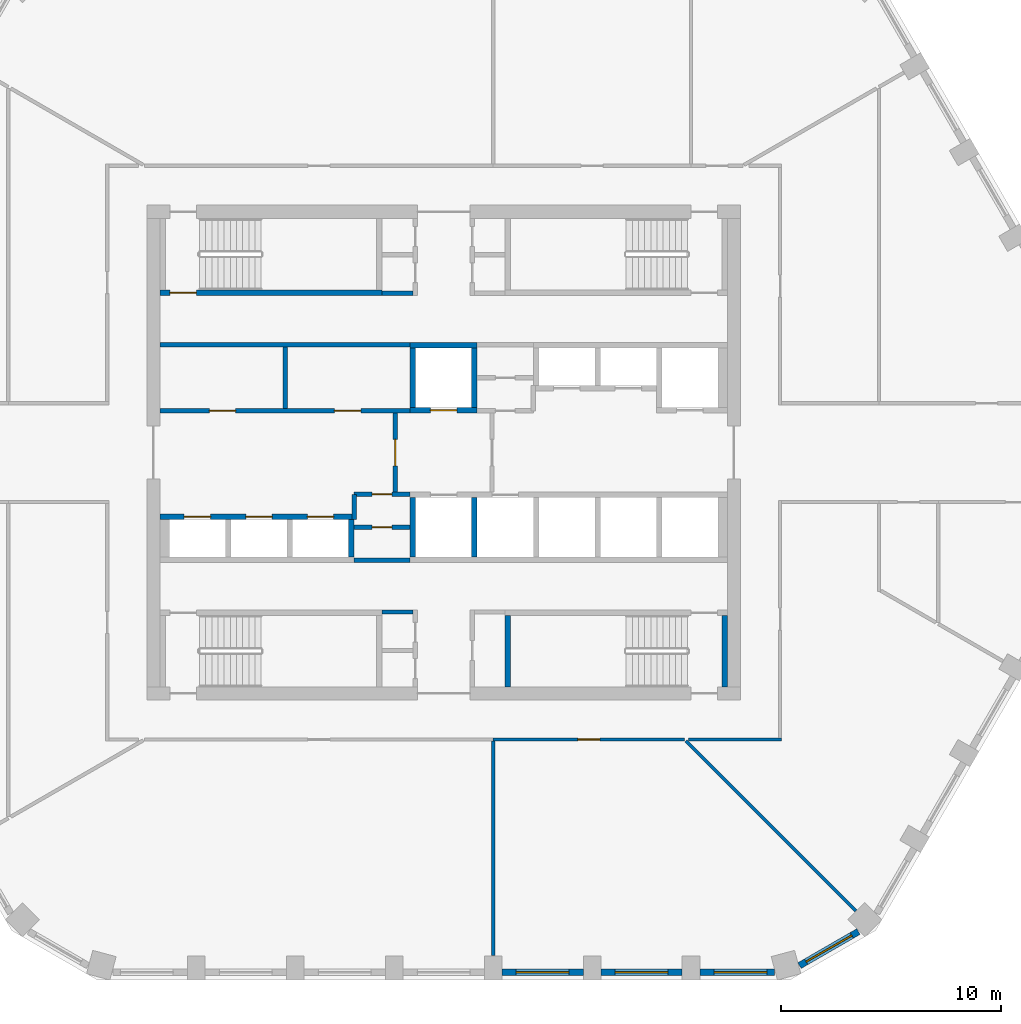
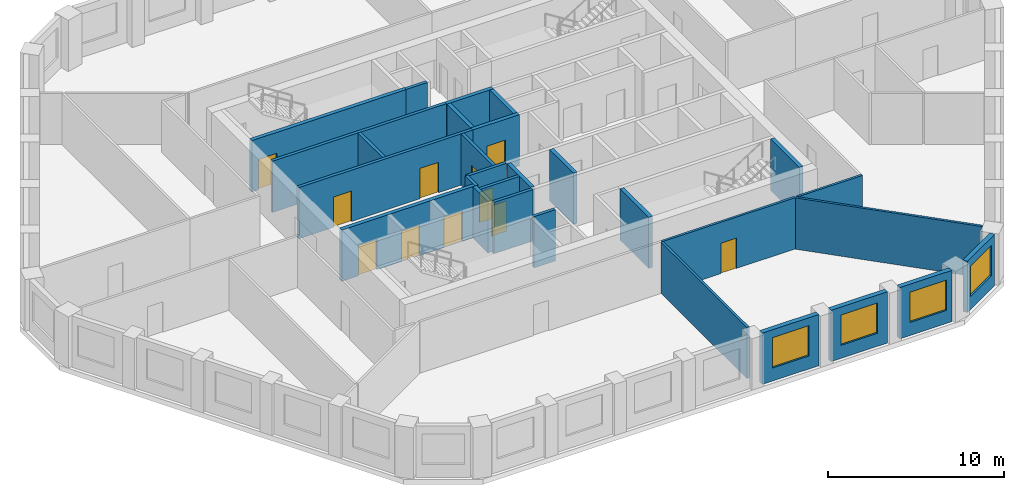
# One storey, part 3 of 8: 29 walls, 11 doors, 4 windows, 15 openings.
"""IFC4 building model written with IfcOpenShell, lengths in metres."""

from ifc_helpers import new_model, si_unit, direction, frame, frame_2d, origin, place, context, subcontext, project, spatial, polyline, rectangle, outline, extrude, material, layer, layer_set, type_object, element, fill, save


model = new_model("IFC4")

# Units and contexts
model_context = context("Model", 3, precision=1e-05, world=origin(), true_north=direction((0.0, 1.0)))
body_context = subcontext(model_context, "Body", "Model", "MODEL_VIEW")
ifc_project = project(units=[si_unit("LENGTHUNIT", "METRE"), si_unit("AREAUNIT", "SQUARE_METRE"), si_unit("VOLUMEUNIT", "CUBIC_METRE"), si_unit("PLANEANGLEUNIT", "RADIAN"), si_unit("MASSUNIT", "GRAM", prefix="KILO")], contexts=[model_context])

# Site, building, storey
site_placement = place(None, origin())
site = spatial("IfcSite", under=ifc_project, at=site_placement, CompositionType="ELEMENT")
building_placement = place(site_placement, origin())
building = spatial("IfcBuilding", under=site, at=building_placement, Name="Dhurran Vertical Campus", CompositionType="ELEMENT")
storey_placement = place(building_placement, frame((0.0, 0.0, 219.0)))
storey = spatial("IfcBuildingStorey", under=building, at=storey_placement, Name="L54", CompositionType="ELEMENT", Elevation=219.0)

# Wall, opening, window
ifc_material_1 = material(Name="Precast concrete C50/60", Category="concrete")
ifc_layer_1 = layer(ifc_material_1, 0.300048828125)
ifc_layer_set_1 = layer_set([ifc_layer_1], Name="Precast concrete C50/60")
wall_type_1 = type_object("IfcWallType", Name="Precast spandrel wall 300", PredefinedType="SOLIDWALL", material=ifc_layer_set_1)
wall_1_placement = place(storey_placement, frame((2.650390625, -23.635498046875, 0.0), z_axis=(0.0, 0.0, 1.0), x_axis=(1.0, 0.0, 0.0)))
wall_1 = element("IfcWall", 1, at=wall_1_placement, inside=storey, type_object=wall_type_1, Name="EW1 L54.04", PredefinedType="SOLIDWALL", context=body_context, shape_type="SweptSolid", body=[
    extrude(rectangle(XDim=3.69921875, YDim=0.300048828125, at=frame_2d((1.849609375, 0.0))), origin(), (0.0, 0.0, 1.0), 3.550048828125),
])
opening_1_placement = place(wall_1_placement, frame((0.6494140625, 0.0, 0.89990234375)))
opening_1 = element("IfcOpeningElement", 2, at=opening_1_placement, cuts=wall_1, Name="Opening WT1", PredefinedType="OPENING", context=body_context, shape_type="SweptSolid", body=[
    extrude(rectangle(XDim=2.39990234375, YDim=2.10009765625, at=frame_2d((1.199951171875, 1.050048828125))), frame((0.0, 0.159912109375, 0.0), z_axis=(0.0, -1.0, 0.0), x_axis=(1.0, 0.0, 0.0)), (0.0, 0.0, 1.0), 0.320068359375),
])
ifc_material_2 = material(Name="Aluminium frame with solar-control glass", Category="aluminium")
window_type = type_object("IfcWindowType", Name="Punched window 2400 x 2100", PartitioningType="SINGLE_PANEL", PredefinedType="WINDOW", material=ifc_material_2)
window_1_placement = place(opening_1_placement, origin())
window_1 = element("IfcWindow", 3, at=window_1_placement, inside=storey, type_object=window_type, Name="WT1 L54.04", OverallHeight=2.10009765625, OverallWidth=2.39990234375, PartitioningType="SINGLE_PANEL", PredefinedType="WINDOW", context=body_context, shape_type="SweptSolid", body=[
    extrude(rectangle(XDim=2.39990234375, YDim=2.10009765625, at=frame_2d((1.199951171875, 1.050048828125))), frame((0.0, 0.030029296875, 0.0), z_axis=(0.0, -1.0, 0.0), x_axis=(1.0, 0.0, 0.0)), (0.0, 0.0, 1.0), 0.06005859375),
])
fill(opening_1, window_1)

wall_2_placement = place(storey_placement, frame((7.150390625, -23.635498046875, 0.0), z_axis=(0.0, 0.0, 1.0), x_axis=(1.0, 0.0, 0.0)))
wall_2 = element("IfcWall", 4, at=wall_2_placement, inside=storey, type_object=wall_type_1, Name="EW1 L54.05", PredefinedType="SOLIDWALL", context=body_context, shape_type="SweptSolid", body=[
    extrude(rectangle(XDim=3.69921875, YDim=0.300048828125, at=frame_2d((1.849609375, 0.0))), origin(), (0.0, 0.0, 1.0), 3.550048828125),
])
opening_2_placement = place(wall_2_placement, frame((0.6494140625, 0.0, 0.89990234375)))
opening_2 = element("IfcOpeningElement", 5, at=opening_2_placement, cuts=wall_2, Name="Opening WT1", PredefinedType="OPENING", context=body_context, shape_type="SweptSolid", body=[
    extrude(rectangle(XDim=2.39990234375, YDim=2.10009765625, at=frame_2d((1.199951171875, 1.050048828125))), frame((0.0, 0.159912109375, 0.0), z_axis=(0.0, -1.0, 0.0), x_axis=(1.0, 0.0, 0.0)), (0.0, 0.0, 1.0), 0.320068359375),
])
window_2_placement = place(opening_2_placement, origin())
window_2 = element("IfcWindow", 6, at=window_2_placement, inside=storey, type_object=window_type, Name="WT1 L54.05", OverallHeight=2.10009765625, OverallWidth=2.39990234375, PartitioningType="SINGLE_PANEL", PredefinedType="WINDOW", context=body_context, shape_type="SweptSolid", body=[
    extrude(rectangle(XDim=2.39990234375, YDim=2.10009765625, at=frame_2d((1.199951171875, 1.050048828125))), frame((0.0, 0.030029296875, 0.0), z_axis=(0.0, -1.0, 0.0), x_axis=(1.0, 0.0, 0.0)), (0.0, 0.0, 1.0), 0.06005859375),
])
fill(opening_2, window_2)

wall_3_placement = place(storey_placement, frame((11.650390625, -23.635498046875, 0.0), z_axis=(0.0, 0.0, 1.0), x_axis=(1.0, 0.0, 0.0)))
wall_3 = element("IfcWall", 7, at=wall_3_placement, inside=storey, type_object=wall_type_1, Name="EW1 L54.06", PredefinedType="SOLIDWALL", context=body_context, shape_type="SweptSolid", body=[
    extrude(rectangle(XDim=3.39599609375, YDim=0.300048828125, at=frame_2d((1.697998046875, 0.0))), origin(), (0.0, 0.0, 1.0), 3.550048828125),
])
opening_3_placement = place(wall_3_placement, frame((0.6494140625, 0.0, 0.89990234375)))
opening_3 = element("IfcOpeningElement", 8, at=opening_3_placement, cuts=wall_3, Name="Opening WT1", PredefinedType="OPENING", context=body_context, shape_type="SweptSolid", body=[
    extrude(rectangle(XDim=2.39990234375, YDim=2.10009765625, at=frame_2d((1.199951171875, 1.050048828125))), frame((0.0, 0.159912109375, 0.0), z_axis=(0.0, -1.0, 0.0), x_axis=(1.0, 0.0, 0.0)), (0.0, 0.0, 1.0), 0.320068359375),
])
window_3_placement = place(opening_3_placement, origin())
window_3 = element("IfcWindow", 9, at=window_3_placement, inside=storey, type_object=window_type, Name="WT1 L54.06", OverallHeight=2.10009765625, OverallWidth=2.39990234375, PartitioningType="SINGLE_PANEL", PredefinedType="WINDOW", context=body_context, shape_type="SweptSolid", body=[
    extrude(rectangle(XDim=2.39990234375, YDim=2.10009765625, at=frame_2d((1.199951171875, 1.050048828125))), frame((0.0, 0.030029296875, 0.0), z_axis=(0.0, -1.0, 0.0), x_axis=(1.0, 0.0, 0.0)), (0.0, 0.0, 1.0), 0.06005859375),
])
fill(opening_3, window_3)

wall_4_placement = place(storey_placement, frame((16.184326171875, -23.330810546875, 0.0), z_axis=(0.0, 0.0, 1.0), x_axis=(0.865994975416, 0.500052699777, 0.0)))
wall_4 = element("IfcWall", 10, at=wall_4_placement, inside=storey, type_object=wall_type_1, Name="EW1 L54.07", PredefinedType="SOLIDWALL", context=body_context, shape_type="SweptSolid", body=[
    extrude(rectangle(XDim=3.093017578125, YDim=0.300048828125, at=frame_2d((1.54638671875, 0.0))), origin(), (0.0, 0.0, 1.0), 3.550048828125),
])
opening_4_placement = place(wall_4_placement, frame((0.346435546875, 0.0, 0.89990234375)))
opening_4 = element("IfcOpeningElement", 11, at=opening_4_placement, cuts=wall_4, Name="Opening WT1", PredefinedType="OPENING", context=body_context, shape_type="SweptSolid", body=[
    extrude(rectangle(XDim=2.39990234375, YDim=2.10009765625, at=frame_2d((1.199951171875, 1.050048828125))), frame((0.0, 0.159912109375, 0.0), z_axis=(0.0, -1.0, 0.0), x_axis=(1.0, 0.0, 0.0)), (0.0, 0.0, 1.0), 0.320068359375),
])
window_4_placement = place(opening_4_placement, origin())
window_4 = element("IfcWindow", 12, at=window_4_placement, inside=storey, type_object=window_type, Name="WT1 L54.07", OverallHeight=2.10009765625, OverallWidth=2.39990234375, PartitioningType="SINGLE_PANEL", PredefinedType="WINDOW", context=body_context, shape_type="SweptSolid", body=[
    extrude(rectangle(XDim=2.39990234375, YDim=2.10009765625, at=frame_2d((1.199951171875, 1.050048828125))), frame((0.0, 0.030029296875, 0.0), z_axis=(0.0, -1.0, 0.0), x_axis=(1.0, 0.0, 0.0)), (0.0, 0.0, 1.0), 0.06005859375),
])
fill(opening_4, window_4)

# Wall, opening, door
ifc_material_3 = material(Name="Fire-rated masonry blockwork", Category="masonry")
ifc_layer_2 = layer(ifc_material_3, 0.199951171875)
ifc_layer_set_2 = layer_set([ifc_layer_2], Name="Fire-rated masonry blockwork")
wall_type_2 = type_object("IfcWallType", Name="co-FIRE-PARTITION-200", PredefinedType="PARTITIONING", material=ifc_layer_set_2)
wall_5_placement = place(storey_placement, frame((-2.199951171875, -1.800048828125, 0.0), z_axis=(0.0, 0.0, 1.0), x_axis=(0.0, 1.0, 0.0)))
wall_5 = element("IfcWall", 13, at=wall_5_placement, inside=storey, type_object=wall_type_2, Name="Firefighting lobby wall W L54", PredefinedType="PARTITIONING", context=body_context, shape_type="SweptSolid", body=[
    extrude(rectangle(XDim=3.60009765625, YDim=0.199951171875, at=frame_2d((1.800048828125, 0.0))), origin(), (0.0, 0.0, 1.0), 3.550048828125),
])
opening_5_placement = place(wall_5_placement, frame((1.199951171875, 0.0, 0.0)))
opening_5 = element("IfcOpeningElement", 14, at=opening_5_placement, cuts=wall_5, Name="Opening FL1", PredefinedType="OPENING", context=body_context, shape_type="SweptSolid", body=[
    extrude(rectangle(XDim=1.199951171875, YDim=2.10009765625, at=frame_2d((0.60009765625, 1.050048828125))), frame((0.0, 0.10986328125, 0.0), z_axis=(0.0, -1.0, 0.0), x_axis=(1.0, 0.0, 0.0)), (0.0, 0.0, 1.0), 0.219970703125),
])
ifc_material_4 = material(Name="Fire-rated steel door set", Category="steel")
door_type_1 = type_object("IfcDoorType", Name="co-D-FFLOBBY 1200x2100", OperationType="SINGLE_SWING_LEFT", PredefinedType="DOOR", material=ifc_material_4)
door_1_placement = place(opening_5_placement, origin())
door_1 = element("IfcDoor", 15, at=door_1_placement, inside=storey, type_object=door_type_1, Name="Firefighting lobby door W L54", OperationType="SINGLE_SWING_LEFT", OverallHeight=2.10009765625, OverallWidth=1.199951171875, PredefinedType="DOOR", context=body_context, shape_type="SweptSolid", body=[
    extrude(rectangle(XDim=1.199951171875, YDim=2.10009765625, at=frame_2d((0.60009765625, 1.050048828125))), frame((0.0, 0.02490234375, 0.0), z_axis=(0.0, -1.0, 0.0), x_axis=(1.0, 0.0, 0.0)), (0.0, 0.0, 1.0), 0.050048828125),
])
fill(opening_5, door_1)

# Walls
for number, where, z_axis, x_axis, name in (
    (16, (-2.800048828125, 7.25, 0.0), (0.0, 0.0, 1.0), (1.0, 0.0, 0.0), "Core partition sl-NW-S L54"),
    (17, (-2.800048828125, -7.25, 0.0), (0.0, 0.0, 1.0), (1.0, 0.0, 0.0), "Core partition sl-SW-S L54"),
):
    element("IfcWall", number, at=place(storey_placement, frame(where, z_axis=z_axis, x_axis=x_axis)), inside=storey, type_object=wall_type_2, Name=name, PredefinedType="PARTITIONING", context=body_context, shape_type="SweptSolid", body=[
        extrude(rectangle(XDim=1.400146484375, YDim=0.199951171875, at=frame_2d((0.7001953125, 0.0))), origin(), (0.0, 0.0, 1.0), 3.550048828125),
    ])
wall_6_placement = place(storey_placement, frame((-7.21240234375, 2.0, 0.0), z_axis=(0.0, 0.0, 1.0), x_axis=(0.0, 1.0, 0.0)))
element("IfcWall", 18, at=wall_6_placement, inside=storey, type_object=wall_type_2, Name="Core partition fr-N0-cut0 L54", PredefinedType="PARTITIONING", context=body_context, shape_type="SweptSolid", body=[
    extrude(rectangle(XDim=2.800048828125, YDim=0.199951171875, at=frame_2d((1.39990234375, 0.0))), origin(), (0.0, 0.0, 1.0), 3.550048828125),
])

# Wall, openings, doors
wall_7_placement = place(storey_placement, frame((-12.89990234375, 1.89990234375, 0.0), z_axis=(0.0, 0.0, 1.0), x_axis=(1.0, 0.0, 0.0)))
wall_7 = element("IfcWall", 19, at=wall_7_placement, inside=storey, type_object=wall_type_2, Name="Core partition fr-N0-f L54", PredefinedType="PARTITIONING", context=body_context, shape_type="SweptSolid", body=[
    extrude(rectangle(XDim=11.375, YDim=0.199951171875, at=frame_2d((5.6875, 0.0))), origin(), (0.0, 0.0, 1.0), 3.550048828125),
])
opening_6_placement = place(wall_7_placement, frame((2.243896484375, 0.0, 0.0)))
opening_6 = element("IfcOpeningElement", 20, at=opening_6_placement, cuts=wall_7, Name="Opening T16-C8", PredefinedType="OPENING", context=body_context, shape_type="SweptSolid", body=[
    extrude(rectangle(XDim=1.199951171875, YDim=2.10009765625, at=frame_2d((0.60009765625, 1.050048828125))), frame((0.0, 0.10986328125, 0.0), z_axis=(0.0, -1.0, 0.0), x_axis=(1.0, 0.0, 0.0)), (0.0, 0.0, 1.0), 0.219970703125),
])
opening_7_placement = place(wall_7_placement, frame((7.931396484375, 0.0, 0.0)))
opening_7 = element("IfcOpeningElement", 21, at=opening_7_placement, cuts=wall_7, Name="Opening T16-C9", PredefinedType="OPENING", context=body_context, shape_type="SweptSolid", body=[
    extrude(rectangle(XDim=1.199951171875, YDim=2.10009765625, at=frame_2d((0.60009765625, 1.050048828125))), frame((0.0, 0.10986328125, 0.0), z_axis=(0.0, -1.0, 0.0), x_axis=(1.0, 0.0, 0.0)), (0.0, 0.0, 1.0), 0.219970703125),
])
ifc_material_5 = material(Name="Fire-rated steel door set", Category="steel")
door_type_2 = type_object("IfcDoorType", Name="co-D-ROOM-PASSAGE 1200x2100", OperationType="SINGLE_SWING_RIGHT", PredefinedType="DOOR", material=ifc_material_5)
door_2_placement = place(opening_6_placement, origin())
door_2 = element("IfcDoor", 22, at=door_2_placement, inside=storey, type_object=door_type_2, Name="Pantry door L54", OperationType="SINGLE_SWING_RIGHT", OverallHeight=2.10009765625, OverallWidth=1.199951171875, PredefinedType="DOOR", context=body_context, shape_type="SweptSolid", body=[
    extrude(rectangle(XDim=1.199951171875, YDim=2.10009765625, at=frame_2d((0.60009765625, 1.050048828125))), frame((0.0, 0.02490234375, 0.0), z_axis=(0.0, -1.0, 0.0), x_axis=(1.0, 0.0, 0.0)), (0.0, 0.0, 1.0), 0.050048828125),
])
fill(opening_6, door_2)
door_3_placement = place(opening_7_placement, origin())
door_3 = element("IfcDoor", 23, at=door_3_placement, inside=storey, type_object=door_type_2, Name="Print room door L54", OperationType="SINGLE_SWING_RIGHT", OverallHeight=2.10009765625, OverallWidth=1.199951171875, PredefinedType="DOOR", context=body_context, shape_type="SweptSolid", body=[
    extrude(rectangle(XDim=1.199951171875, YDim=2.10009765625, at=frame_2d((0.60009765625, 1.050048828125))), frame((0.0, 0.02490234375, 0.0), z_axis=(0.0, -1.0, 0.0), x_axis=(1.0, 0.0, 0.0)), (0.0, 0.0, 1.0), 0.050048828125),
])
fill(opening_7, door_3)

# Wall
wall_8_placement = place(storey_placement, frame((-12.89990234375, 4.89990234375, 0.0), z_axis=(0.0, 0.0, 1.0), x_axis=(1.0, 0.0, 0.0)))
element("IfcWall", 24, at=wall_8_placement, inside=storey, type_object=wall_type_2, Name="Core partition fr-N0-b L54", PredefinedType="PARTITIONING", context=body_context, shape_type="SweptSolid", body=[
    extrude(rectangle(XDim=11.375, YDim=0.199951171875, at=frame_2d((5.6875, 0.0))), origin(), (0.0, 0.0, 1.0), 3.550048828125),
])

# Wall, opening, door
wall_9_placement = place(storey_placement, frame((-4.074951171875, -3.39990234375, 0.0), z_axis=(0.0, 0.0, 1.0), x_axis=(1.0, 0.0, 0.0)))
wall_9 = element("IfcWall", 25, at=wall_9_placement, inside=storey, type_object=wall_type_2, Name="Core partition fr-S0-c L54", PredefinedType="PARTITIONING", context=body_context, shape_type="SweptSolid", body=[
    extrude(rectangle(XDim=2.550048828125, YDim=0.199951171875, at=frame_2d((1.27490234375, 0.0))), origin(), (0.0, 0.0, 1.0), 3.550048828125),
])
opening_8_placement = place(wall_9_placement, frame((0.824951171875, 0.0, 0.0)))
opening_8 = element("IfcOpeningElement", 26, at=opening_8_placement, cuts=wall_9, Name="Opening T16-C12", PredefinedType="OPENING", context=body_context, shape_type="SweptSolid", body=[
    extrude(rectangle(XDim=0.89990234375, YDim=2.10009765625, at=frame_2d((0.449951171875, 1.050048828125))), frame((0.0, 0.10986328125, 0.0), z_axis=(0.0, -1.0, 0.0), x_axis=(1.0, 0.0, 0.0)), (0.0, 0.0, 1.0), 0.219970703125),
])
ifc_material_6 = material(Name="Fire-rated timber door set", Category="wood")
door_type_3 = type_object("IfcDoorType", Name="co-D-ROOM 900x2100", OperationType="SINGLE_SWING_LEFT", PredefinedType="DOOR", material=ifc_material_6)
door_4_placement = place(opening_8_placement, origin())
door_4 = element("IfcDoor", 27, at=door_4_placement, inside=storey, type_object=door_type_3, Name="Cleaner's store door L54", OperationType="SINGLE_SWING_LEFT", OverallHeight=2.10009765625, OverallWidth=0.89990234375, PredefinedType="DOOR", context=body_context, shape_type="SweptSolid", body=[
    extrude(rectangle(XDim=0.89990234375, YDim=2.10009765625, at=frame_2d((0.449951171875, 1.050048828125))), frame((0.0, 0.02490234375, 0.0), z_axis=(0.0, -1.0, 0.0), x_axis=(1.0, 0.0, 0.0)), (0.0, 0.0, 1.0), 0.050048828125),
])
fill(opening_8, door_4)

wall_10_placement = place(storey_placement, frame((-4.074951171875, -1.89990234375, 0.0), z_axis=(0.0, 0.0, 1.0), x_axis=(1.0, 0.0, 0.0)))
wall_10 = element("IfcWall", 28, at=wall_10_placement, inside=storey, type_object=wall_type_2, Name="Core partition fr-S0-f L54", PredefinedType="PARTITIONING", context=body_context, shape_type="SweptSolid", body=[
    extrude(rectangle(XDim=2.550048828125, YDim=0.199951171875, at=frame_2d((1.27490234375, 0.0))), origin(), (0.0, 0.0, 1.0), 3.550048828125),
])
opening_9_placement = place(wall_10_placement, frame((0.824951171875, 0.0, 0.0)))
opening_9 = element("IfcOpeningElement", 29, at=opening_9_placement, cuts=wall_10, Name="Opening T16-C13", PredefinedType="OPENING", context=body_context, shape_type="SweptSolid", body=[
    extrude(rectangle(XDim=0.89990234375, YDim=2.10009765625, at=frame_2d((0.449951171875, 1.050048828125))), frame((0.0, 0.10986328125, 0.0), z_axis=(0.0, -1.0, 0.0), x_axis=(1.0, 0.0, 0.0)), (0.0, 0.0, 1.0), 0.219970703125),
])
door_5_placement = place(opening_9_placement, origin())
door_5 = element("IfcDoor", 30, at=door_5_placement, inside=storey, type_object=door_type_3, Name="Print room door L54", OperationType="SINGLE_SWING_LEFT", OverallHeight=2.10009765625, OverallWidth=0.89990234375, PredefinedType="DOOR", context=body_context, shape_type="SweptSolid", body=[
    extrude(rectangle(XDim=0.89990234375, YDim=2.10009765625, at=frame_2d((0.449951171875, 1.050048828125))), frame((0.0, 0.02490234375, 0.0), z_axis=(0.0, -1.0, 0.0), x_axis=(1.0, 0.0, 0.0)), (0.0, 0.0, 1.0), 0.050048828125),
])
fill(opening_9, door_5)

# Walls
wall_11_placement = place(storey_placement, frame((-4.074951171875, -4.89990234375, 0.0), z_axis=(0.0, 0.0, 1.0), x_axis=(1.0, 0.0, 0.0)))
element("IfcWall", 31, at=wall_11_placement, inside=storey, type_object=wall_type_2, Name="Core partition fr-S0-b L54", PredefinedType="PARTITIONING", context=body_context, shape_type="SweptSolid", body=[
    extrude(rectangle(XDim=2.550048828125, YDim=0.199951171875, at=frame_2d((1.27490234375, 0.0))), origin(), (0.0, 0.0, 1.0), 3.550048828125),
])
wall_12_placement = place(storey_placement, frame((-4.074951171875, -1.89990234375, 0.0), z_axis=(0.0, 0.0, 1.0), x_axis=(0.0, -1.0, 0.0)))
element("IfcWall", 32, at=wall_12_placement, inside=storey, type_object=wall_type_2, Name="Core partition fr-S0-n0 L54", PredefinedType="PARTITIONING", context=body_context, shape_type="SweptSolid", body=[
    extrude(rectangle(XDim=1.150146484375, YDim=0.199951171875, at=frame_2d((0.5751953125, 0.0))), origin(), (0.0, 0.0, 1.0), 3.550048828125),
])

# Wall, opening, door
ifc_material_7 = material(Name="Concrete C50/60", Category="concrete")
ifc_layer_3 = layer(ifc_material_7, 0.25)
ifc_layer_set_3 = layer_set([ifc_layer_3], Name="Concrete C50/60")
wall_type_3 = type_object("IfcWallType", Name="co-SHAFT-FRONT-250", PredefinedType="SHEAR", material=ifc_layer_set_3)
wall_13_placement = place(storey_placement, frame((-1.52490234375, 1.925048828125, 0.0), z_axis=(0.0, 0.0, 1.0), x_axis=(1.0, 0.0, 0.0)))
wall_13 = element("IfcWall", 33, at=wall_13_placement, inside=storey, type_object=wall_type_3, Name="Lift landing wall N L54", PredefinedType="SHEAR", context=body_context, shape_type="SweptSolid", body=[
    extrude(rectangle(XDim=3.0498046875, YDim=0.25, at=frame_2d((1.52490234375, 0.0))), origin(), (0.0, 0.0, 1.0), 3.550048828125),
])
opening_10_placement = place(wall_13_placement, frame((0.925048828125, 0.0, 0.0)))
opening_10 = element("IfcOpeningElement", 34, at=opening_10_placement, cuts=wall_13, Name="Opening LD", PredefinedType="OPENING", context=body_context, shape_type="SweptSolid", body=[
    extrude(rectangle(XDim=1.199951171875, YDim=2.10009765625, at=frame_2d((0.60009765625, 1.050048828125))), frame((0.0, 0.135009765625, 0.0), z_axis=(0.0, -1.0, 0.0), x_axis=(1.0, 0.0, 0.0)), (0.0, 0.0, 1.0), 0.27001953125),
])
ifc_material_8 = material(Name="Stainless steel landing door", Category="steel")
door_type_4 = type_object("IfcDoorType", Name="co-D-LANDING 1200x2100", OperationType="DOUBLE_DOOR_SLIDING", PredefinedType="DOOR", material=ifc_material_8)
door_6_placement = place(opening_10_placement, origin())
door_6 = element("IfcDoor", 35, at=door_6_placement, inside=storey, type_object=door_type_4, Name="Landing door FF1 L54", OperationType="DOUBLE_DOOR_SLIDING", OverallHeight=2.10009765625, OverallWidth=1.199951171875, PredefinedType="DOOR", context=body_context, shape_type="SweptSolid", body=[
    extrude(rectangle(XDim=1.199951171875, YDim=2.10009765625, at=frame_2d((0.60009765625, 1.050048828125))), frame((0.0, 0.02490234375, 0.0), z_axis=(0.0, -1.0, 0.0), x_axis=(1.0, 0.0, 0.0)), (0.0, 0.0, 1.0), 0.050048828125),
])
fill(opening_10, door_6)

# Wall, openings, doors
wall_14_placement = place(storey_placement, frame((-12.89990234375, -2.925048828125, 0.0), z_axis=(0.0, 0.0, 1.0), x_axis=(1.0, 0.0, 0.0)))
wall_14 = element("IfcWall", 36, at=wall_14_placement, inside=storey, type_object=wall_type_3, Name="Lift landing wall S L54", PredefinedType="SHEAR", context=body_context, shape_type="SweptSolid", body=[
    extrude(rectangle(XDim=8.824951171875, YDim=0.25, at=frame_2d((4.41259765625, 0.0))), origin(), (0.0, 0.0, 1.0), 3.550048828125),
])
opening_11_placement = place(wall_14_placement, frame((1.10009765625, 0.0, 0.0)))
opening_11 = element("IfcOpeningElement", 37, at=opening_11_placement, cuts=wall_14, Name="Opening LD", PredefinedType="OPENING", context=body_context, shape_type="SweptSolid", body=[
    extrude(rectangle(XDim=1.199951171875, YDim=2.10009765625, at=frame_2d((0.60009765625, 1.050048828125))), frame((0.0, 0.135009765625, 0.0), z_axis=(0.0, -1.0, 0.0), x_axis=(1.0, 0.0, 0.0)), (0.0, 0.0, 1.0), 0.27001953125),
])
opening_12_placement = place(wall_14_placement, frame((3.89990234375, 0.0, 0.0)))
opening_12 = element("IfcOpeningElement", 38, at=opening_12_placement, cuts=wall_14, Name="Opening LD", PredefinedType="OPENING", context=body_context, shape_type="SweptSolid", body=[
    extrude(rectangle(XDim=1.199951171875, YDim=2.10009765625, at=frame_2d((0.60009765625, 1.050048828125))), frame((0.0, 0.135009765625, 0.0), z_axis=(0.0, -1.0, 0.0), x_axis=(1.0, 0.0, 0.0)), (0.0, 0.0, 1.0), 0.27001953125),
])
opening_13_placement = place(wall_14_placement, frame((6.699951171875, 0.0, 0.0)))
opening_13 = element("IfcOpeningElement", 39, at=opening_13_placement, cuts=wall_14, Name="Opening LD", PredefinedType="OPENING", context=body_context, shape_type="SweptSolid", body=[
    extrude(rectangle(XDim=1.199951171875, YDim=2.10009765625, at=frame_2d((0.60009765625, 1.050048828125))), frame((0.0, 0.135009765625, 0.0), z_axis=(0.0, -1.0, 0.0), x_axis=(1.0, 0.0, 0.0)), (0.0, 0.0, 1.0), 0.27001953125),
])
door_7_placement = place(opening_11_placement, origin())
door_7 = element("IfcDoor", 40, at=door_7_placement, inside=storey, type_object=door_type_4, Name="Landing door MR3 L54", OperationType="DOUBLE_DOOR_SLIDING", OverallHeight=2.10009765625, OverallWidth=1.199951171875, PredefinedType="DOOR", context=body_context, shape_type="SweptSolid", body=[
    extrude(rectangle(XDim=1.199951171875, YDim=2.10009765625, at=frame_2d((0.60009765625, 1.050048828125))), frame((0.0, 0.02490234375, 0.0), z_axis=(0.0, -1.0, 0.0), x_axis=(1.0, 0.0, 0.0)), (0.0, 0.0, 1.0), 0.050048828125),
])
fill(opening_11, door_7)
door_8_placement = place(opening_12_placement, origin())
door_8 = element("IfcDoor", 41, at=door_8_placement, inside=storey, type_object=door_type_4, Name="Landing door MR4 L54", OperationType="DOUBLE_DOOR_SLIDING", OverallHeight=2.10009765625, OverallWidth=1.199951171875, PredefinedType="DOOR", context=body_context, shape_type="SweptSolid", body=[
    extrude(rectangle(XDim=1.199951171875, YDim=2.10009765625, at=frame_2d((0.60009765625, 1.050048828125))), frame((0.0, 0.02490234375, 0.0), z_axis=(0.0, -1.0, 0.0), x_axis=(1.0, 0.0, 0.0)), (0.0, 0.0, 1.0), 0.050048828125),
])
fill(opening_12, door_8)
door_9_placement = place(opening_13_placement, origin())
door_9 = element("IfcDoor", 42, at=door_9_placement, inside=storey, type_object=door_type_4, Name="Landing door MR5 L54", OperationType="DOUBLE_DOOR_SLIDING", OverallHeight=2.10009765625, OverallWidth=1.199951171875, PredefinedType="DOOR", context=body_context, shape_type="SweptSolid", body=[
    extrude(rectangle(XDim=1.199951171875, YDim=2.10009765625, at=frame_2d((0.60009765625, 1.050048828125))), frame((0.0, 0.02490234375, 0.0), z_axis=(0.0, -1.0, 0.0), x_axis=(1.0, 0.0, 0.0)), (0.0, 0.0, 1.0), 0.050048828125),
])
fill(opening_13, door_9)

# Walls
ifc_material_9 = material(Name="Concrete C50/60", Category="concrete")
ifc_layer_4 = layer(ifc_material_9, 0.25)
ifc_layer_set_4 = layer_set([ifc_layer_4], Name="Concrete C50/60")
wall_type_4 = type_object("IfcWallType", Name="co-SHAFT-MASS-250", PredefinedType="SHEAR", material=ifc_layer_set_4)
wall_15_placement = place(storey_placement, origin())
element("IfcWall", 43, at=wall_15_placement, inside=storey, type_object=wall_type_4, Name="Lift shaft wall N L54 1", PredefinedType="SHEAR", context=body_context, shape_type="SweptSolid", body=[
    extrude(outline(polyline([(-1.52490234375, 4.75), (1.52490234375, 4.75), (1.52490234375, 5.0), (-1.52490234375, 5.0), (-1.52490234375, 4.75)])), origin(), (0.0, 0.0, 1.0), 3.550048828125),
])
wall_16_placement = place(storey_placement, origin())
element("IfcWall", 44, at=wall_16_placement, inside=storey, type_object=wall_type_4, Name="Lift shaft wall N L54 3", PredefinedType="SHEAR", context=body_context, shape_type="SweptSolid", body=[
    extrude(outline(polyline([(-1.52490234375, 2.050048828125), (-1.27490234375, 2.050048828125), (-1.27490234375, 4.75), (-1.52490234375, 4.75), (-1.52490234375, 2.050048828125)])), origin(), (0.0, 0.0, 1.0), 3.550048828125),
])
wall_17_placement = place(storey_placement, origin())
element("IfcWall", 45, at=wall_17_placement, inside=storey, type_object=wall_type_4, Name="Lift shaft wall N L54 4", PredefinedType="SHEAR", context=body_context, shape_type="SweptSolid", body=[
    extrude(outline(polyline([(1.27490234375, 2.050048828125), (1.52490234375, 2.050048828125), (1.52490234375, 4.75), (1.27490234375, 4.75), (1.27490234375, 2.050048828125)])), origin(), (0.0, 0.0, 1.0), 3.550048828125),
])
wall_18_placement = place(storey_placement, origin())
element("IfcWall", 46, at=wall_18_placement, inside=storey, type_object=wall_type_4, Name="Lift shaft wall S L54 6", PredefinedType="SHEAR", context=body_context, shape_type="SweptSolid", body=[
    extrude(outline(polyline([(-4.324951171875, -4.75), (-4.074951171875, -4.75), (-4.074951171875, -3.050048828125), (-4.324951171875, -3.050048828125), (-4.324951171875, -4.75)])), origin(), (0.0, 0.0, 1.0), 3.550048828125),
])
wall_19_placement = place(storey_placement, origin())
element("IfcWall", 47, at=wall_19_placement, inside=storey, type_object=wall_type_4, Name="Lift shaft wall S L54 7", PredefinedType="SHEAR", context=body_context, shape_type="SweptSolid", body=[
    extrude(outline(polyline([(-1.52490234375, -4.75), (-1.27490234375, -4.75), (-1.27490234375, -2.050048828125), (-1.52490234375, -2.050048828125), (-1.52490234375, -4.75)])), origin(), (0.0, 0.0, 1.0), 3.550048828125),
])
wall_20_placement = place(storey_placement, origin())
element("IfcWall", 48, at=wall_20_placement, inside=storey, type_object=wall_type_4, Name="Lift shaft wall S L54 8", PredefinedType="SHEAR", context=body_context, shape_type="SweptSolid", body=[
    extrude(outline(polyline([(1.27490234375, -4.75), (1.52490234375, -4.75), (1.52490234375, -2.050048828125), (1.27490234375, -2.050048828125), (1.27490234375, -4.75)])), origin(), (0.0, 0.0, 1.0), 3.550048828125),
])

# Wall, opening, door
ifc_material_10 = material(Name="Concrete C40/50", Category="concrete")
ifc_layer_5 = layer(ifc_material_10, 0.25)
ifc_layer_set_5 = layer_set([ifc_layer_5], Name="Concrete C40/50")
wall_type_5 = type_object("IfcWallType", Name="co-STAIR-WALL-250", PredefinedType="SHEAR", material=ifc_layer_set_5)
wall_21_placement = place(storey_placement, frame((-12.89990234375, 7.27490234375, 0.0), z_axis=(0.0, 0.0, 1.0), x_axis=(1.0, 0.0, 0.0)))
wall_21 = element("IfcWall", 49, at=wall_21_placement, inside=storey, type_object=wall_type_5, Name="Stair ST1 enclosure wall L54", PredefinedType="SHEAR", context=body_context, shape_type="SweptSolid", body=[
    extrude(rectangle(XDim=10.099853515625, YDim=0.25, at=frame_2d((5.0498046875, 0.0))), origin(), (0.0, 0.0, 1.0), 3.550048828125),
])
opening_14_placement = place(wall_21_placement, frame((0.449951171875, 0.0, 0.0)))
opening_14 = element("IfcOpeningElement", 50, at=opening_14_placement, cuts=wall_21, Name="Opening SD1", PredefinedType="OPENING", context=body_context, shape_type="SweptSolid", body=[
    extrude(rectangle(XDim=1.199951171875, YDim=2.10009765625, at=frame_2d((0.60009765625, 1.050048828125))), frame((0.0, 0.135009765625, 0.0), z_axis=(0.0, -1.0, 0.0), x_axis=(1.0, 0.0, 0.0)), (0.0, 0.0, 1.0), 0.27001953125),
])
ifc_material_11 = material(Name="Fire-rated steel door set", Category="steel")
door_type_5 = type_object("IfcDoorType", Name="co-D-STAIR 1200x2100", OperationType="SINGLE_SWING_LEFT", PredefinedType="DOOR", material=ifc_material_11)
door_10_placement = place(opening_14_placement, origin())
door_10 = element("IfcDoor", 51, at=door_10_placement, inside=storey, type_object=door_type_5, Name="Stair ST1 door L54", OperationType="SINGLE_SWING_LEFT", OverallHeight=2.10009765625, OverallWidth=1.199951171875, PredefinedType="DOOR", context=body_context, shape_type="SweptSolid", body=[
    extrude(rectangle(XDim=1.199951171875, YDim=2.10009765625, at=frame_2d((0.60009765625, 1.050048828125))), frame((0.0, 0.02490234375, 0.0), z_axis=(0.0, -1.0, 0.0), x_axis=(1.0, 0.0, 0.0)), (0.0, 0.0, 1.0), 0.050048828125),
])
fill(opening_14, door_10)

# Walls
for number, where, z_axis, x_axis, name in (
    (52, (2.925048828125, -10.64990234375, 0.0), (0.0, 0.0, 1.0), (0.0, 1.0, 0.0), "Stair ST4 enclosure wall L54"),
    (53, (12.77490234375, -10.64990234375, 0.0), (0.0, 0.0, 1.0), (0.0, 1.0, 0.0), "Stair ST4 enclosure wall L54"),
):
    element("IfcWall", number, at=place(storey_placement, frame(where, z_axis=z_axis, x_axis=x_axis)), inside=storey, type_object=wall_type_5, Name=name, PredefinedType="SHEAR", context=body_context, shape_type="SweptSolid", body=[
        extrude(rectangle(XDim=3.25, YDim=0.25, at=frame_2d((1.625, 0.0))), origin(), (0.0, 0.0, 1.0), 3.550048828125),
    ])

# Wall, opening, door
ifc_material_12 = material(Name="Gypsum board corridor wall on steel studs", Category="steel")
ifc_layer_6 = layer(ifc_material_12, 0.14990234375)
ifc_layer_set_6 = layer_set([ifc_layer_6], Name="Gypsum board corridor wall on steel studs")
wall_type_6 = type_object("IfcWallType", Name="fl-CW-150 corridor wall", PredefinedType="PARTITIONING", material=ifc_layer_set_6)
wall_22_placement = place(storey_placement, frame((2.25, -13.050048828125, 0.0), z_axis=(0.0, 0.0, 1.0), x_axis=(1.0, 0.0, 0.0)))
wall_22 = element("IfcWall", 54, at=wall_22_placement, inside=storey, type_object=wall_type_6, Name="Partition 54-18", PredefinedType="PARTITIONING", context=body_context, shape_type="SweptSolid", body=[
    extrude(rectangle(XDim=8.7119140625, YDim=0.14990234375, at=frame_2d((4.35595703125, 0.0))), origin(), (0.0, 0.0, 1.0), 3.550048828125),
])
opening_15_placement = place(wall_22_placement, frame((3.85595703125, 0.0, 0.0)))
opening_15 = element("IfcOpeningElement", 55, at=opening_15_placement, cuts=wall_22, Name="Opening T16.08", PredefinedType="OPENING", context=body_context, shape_type="SweptSolid", body=[
    extrude(rectangle(XDim=1.0, YDim=2.10009765625, at=frame_2d((0.5, 1.050048828125))), frame((0.0, 0.0849609375, 0.0), z_axis=(0.0, -1.0, 0.0), x_axis=(1.0, 0.0, 0.0)), (0.0, 0.0, 1.0), 0.169921875),
])
ifc_material_13 = material(Name="Solid-core timber door set, fire-rated", Category="wood")
door_type_6 = type_object("IfcDoorType", Name="fl-D-1000x2100", OperationType="SINGLE_SWING_LEFT", PredefinedType="DOOR", material=ifc_material_13)
door_11_placement = place(opening_15_placement, origin())
door_11 = element("IfcDoor", 56, at=door_11_placement, inside=storey, type_object=door_type_6, Name="Door 54.08", OperationType="SINGLE_SWING_RIGHT", OverallHeight=2.10009765625, OverallWidth=1.0, PredefinedType="DOOR", context=body_context, shape_type="SweptSolid", body=[
    extrude(rectangle(XDim=1.0, YDim=2.10009765625, at=frame_2d((0.5, 1.050048828125))), frame((0.0, 0.02490234375, 0.0), z_axis=(0.0, -1.0, 0.0), x_axis=(1.0, 0.0, 0.0)), (0.0, 0.0, 1.0), 0.050048828125),
])
fill(opening_15, door_11)

# Walls
wall_23_placement = place(storey_placement, frame((11.136962890625, -13.050048828125, 0.0), z_axis=(0.0, 0.0, 1.0), x_axis=(1.0, 0.0, 0.0)))
element("IfcWall", 57, at=wall_23_placement, inside=storey, type_object=wall_type_6, Name="Partition 54-21", PredefinedType="PARTITIONING", context=body_context, shape_type="SweptSolid", body=[
    extrude(rectangle(XDim=4.238037109375, YDim=0.14990234375, at=frame_2d((2.119140625, 0.0))), origin(), (0.0, 0.0, 1.0), 3.550048828125),
])
ifc_material_14 = material(Name="Gypsum board partition on steel studs", Category="steel")
ifc_layer_7 = layer(ifc_material_14, 0.14990234375)
ifc_layer_set_7 = layer_set([ifc_layer_7], Name="Gypsum board partition on steel studs")
wall_type_7 = type_object("IfcWallType", Name="fl-PW-150 fixed partition", PredefinedType="PARTITIONING", material=ifc_layer_set_7)
wall_24_placement = place(storey_placement, frame((2.25, -13.125, 0.0), z_axis=(0.0, 0.0, 1.0), x_axis=(0.0, -1.0, 0.0)))
element("IfcWall", 58, at=wall_24_placement, inside=storey, type_object=wall_type_7, Name="Partition 54-17", PredefinedType="PARTITIONING", context=body_context, shape_type="SweptSolid", body=[
    extrude(rectangle(XDim=9.740478515625, YDim=0.14990234375, at=frame_2d((4.8701171875, 0.0))), origin(), (0.0, 0.0, 1.0), 3.550048828125),
])
wall_25_placement = place(storey_placement, frame((11.014892578125, -13.10302734375, 0.0), z_axis=(0.0, 0.0, 1.0), x_axis=(0.707073307884, -0.707140252905, 0.0)))
element("IfcWall", 59, at=wall_25_placement, inside=storey, type_object=wall_type_7, Name="Partition 54-22", PredefinedType="PARTITIONING", context=body_context, shape_type="SweptSolid", body=[
    extrude(rectangle(XDim=10.940673828125, YDim=0.14990234375, at=frame_2d((5.47021484375, 0.0))), origin(), (0.0, 0.0, 1.0), 3.550048828125),
])

save(model, "model.ifc")
